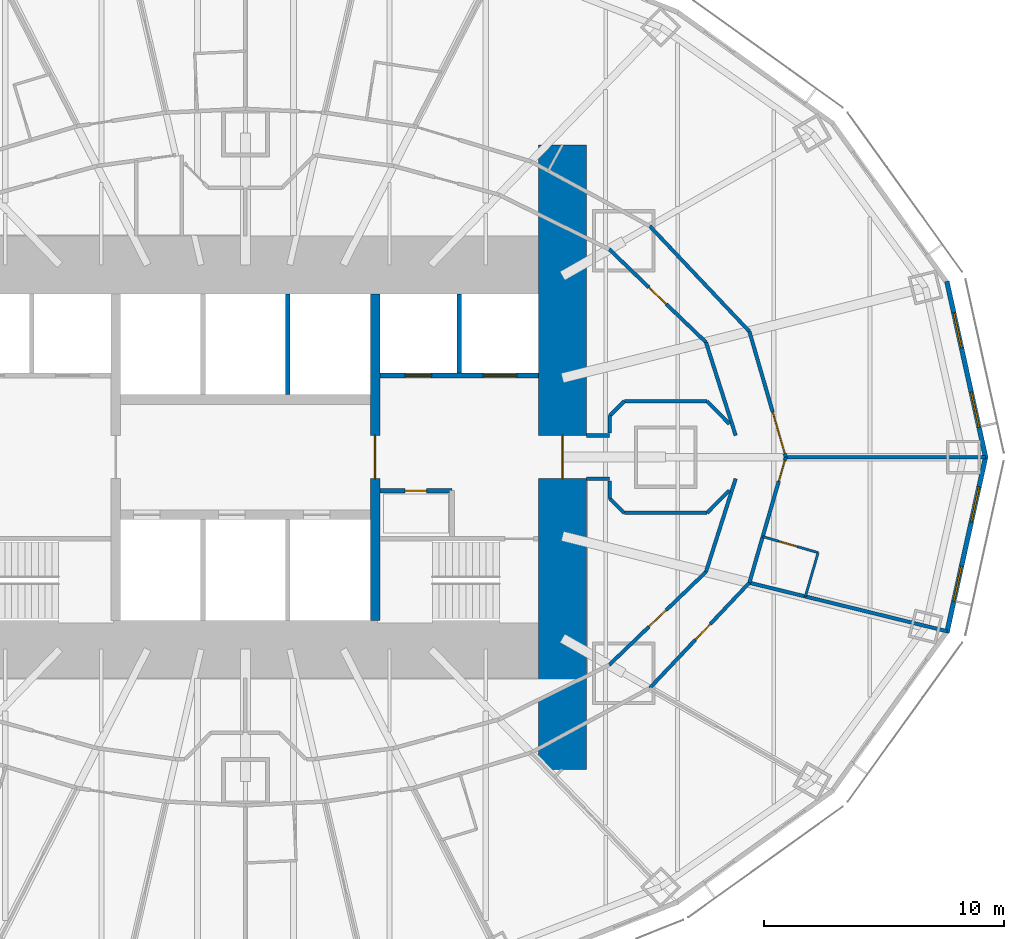
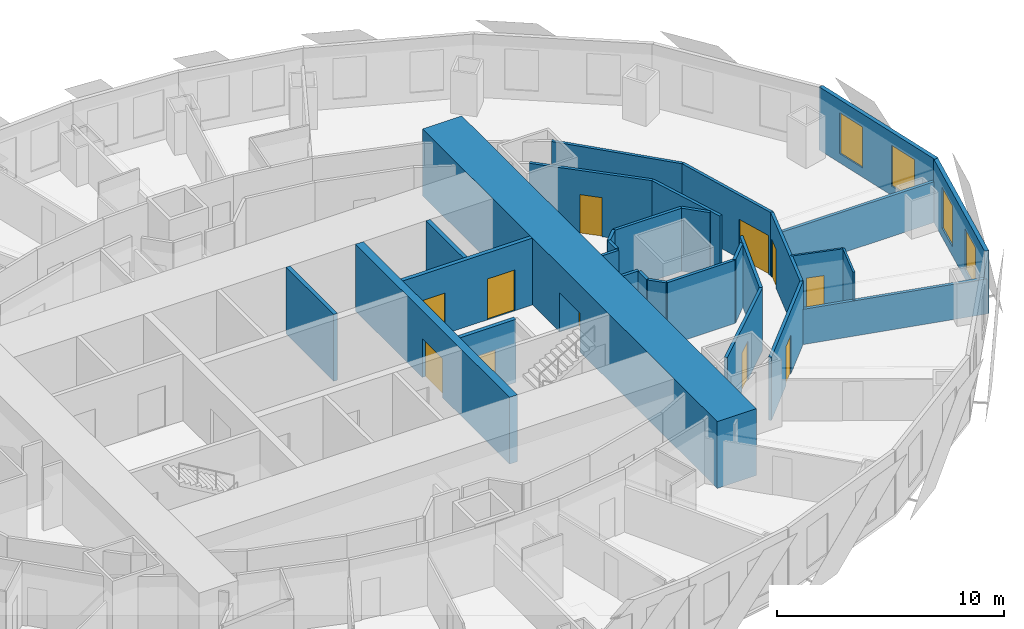
# One storey, part 8 of 15: 30 walls, 11 doors, 4 windows, 15 openings.
"""IFC4 building model written with IfcOpenShell, lengths in metres."""

from ifc_helpers import new_model, si_unit, direction, frame, frame_2d, origin, place, context, subcontext, project, spatial, rectangle, extrude, material, layer, layer_set, type_object, element, fill, save


model = new_model("IFC4")

# Units and contexts
model_context = context("Model", 3, precision=1e-05, world=origin(), true_north=direction((0.0, 1.0)))
body_context = subcontext(model_context, "Body", "Model", "MODEL_VIEW")
ifc_project = project(units=[si_unit("LENGTHUNIT", "METRE"), si_unit("AREAUNIT", "SQUARE_METRE"), si_unit("VOLUMEUNIT", "CUBIC_METRE"), si_unit("PLANEANGLEUNIT", "RADIAN"), si_unit("MASSUNIT", "GRAM", prefix="KILO")], contexts=[model_context])

# Site, building, storey
site_placement = place(None, origin())
site = spatial("IfcSite", under=ifc_project, at=site_placement, CompositionType="ELEMENT")
building_placement = place(site_placement, origin())
building = spatial("IfcBuilding", under=site, at=building_placement, Name="Lantaw Convention Tower", CompositionType="ELEMENT")
storey_placement = place(building_placement, frame((0.0, 0.0, 101.800048828125)))
storey = spatial("IfcBuildingStorey", under=building, at=storey_placement, Name="L24", CompositionType="ELEMENT", Elevation=101.800048828125)

# Wall, opening, door
ifc_material_1 = material(Name="Moisture resistant gypsum board on steel studs", Category="steel")
ifc_layer_1 = layer(ifc_material_1, 0.10009765625)
ifc_layer_set_1 = layer_set([ifc_layer_1], Name="Bathroom wall 100")
wall_type_1 = type_object("IfcWallType", Name="Bathroom wall 100", PredefinedType="PARTITIONING", material=ifc_layer_set_1)
wall_1_placement = place(storey_placement, frame((21.540771484375, -3.31103515625, 0.0), z_axis=(0.0, 0.0, 1.0), x_axis=(0.960515628303, -0.278226037218, 0.0)))
wall_1 = element("IfcWall", 1, at=wall_1_placement, inside=storey, type_object=wall_type_1, Name="Bathroom wall 100", PredefinedType="PARTITIONING", context=body_context, shape_type="SweptSolid", body=[
    extrude(rectangle(XDim=2.39990234375, YDim=0.10009765625, at=frame_2d((1.199951171875, 0.0))), origin(), (0.0, 0.0, 1.0), 3.39990234375),
])
opening_1_placement = place(wall_1_placement, frame((0.699951171875, 0.0, 0.0)))
opening_1 = element("IfcOpeningElement", 2, at=opening_1_placement, cuts=wall_1, Name="Opening L24.54", PredefinedType="OPENING", context=body_context, shape_type="SweptSolid", body=[
    extrude(rectangle(XDim=0.800048828125, YDim=2.10009765625, at=frame_2d((0.39990234375, 1.050048828125))), frame((0.0, 0.06005859375, 0.0), z_axis=(0.0, -1.0, 0.0), x_axis=(1.0, 0.0, 0.0)), (0.0, 0.0, 1.0), 0.1201171875),
])
ifc_material_2 = material(Name="Timber", Category="wood")
door_type_1 = type_object("IfcDoorType", Name="Bathroom door 800", OperationType="SINGLE_SWING_LEFT", PredefinedType="DOOR", material=ifc_material_2)
door_1_placement = place(opening_1_placement, origin())
door_1 = element("IfcDoor", 3, at=door_1_placement, inside=storey, type_object=door_type_1, Name="Bathroom door", OperationType="SINGLE_SWING_LEFT", OverallHeight=2.10009765625, OverallWidth=0.800048828125, PredefinedType="DOOR", context=body_context, shape_type="SweptSolid", body=[
    extrude(rectangle(XDim=0.800048828125, YDim=2.10009765625, at=frame_2d((0.39990234375, 1.050048828125))), frame((0.0, 0.02490234375, 0.0), z_axis=(0.0, -1.0, 0.0), x_axis=(1.0, 0.0, 0.0)), (0.0, 0.0, 1.0), 0.050048828125),
])
fill(opening_1, door_1)

# Wall
wall_2_placement = place(storey_placement, frame((23.845947265625, -3.978759765625, 0.0), z_axis=(0.0, 0.0, 1.0), x_axis=(-0.278197767203, -0.960523816635, 0.0)))
element("IfcWall", 4, at=wall_2_placement, inside=storey, type_object=wall_type_1, Name="Bathroom wall 100", PredefinedType="PARTITIONING", context=body_context, shape_type="SweptSolid", body=[
    extrude(rectangle(XDim=1.90966796875, YDim=0.10009765625, at=frame_2d((0.954833984375, 0.0))), origin(), (0.0, 0.0, 1.0), 3.39990234375),
])

# Wall, opening, door
ifc_material_3 = material(Name="Concrete C60/75", Category="concrete")
ifc_layer_2 = layer(ifc_material_3, 2.0)
ifc_layer_set_2 = layer_set([ifc_layer_2], Name="Core wall 2000")
wall_type_2 = type_object("IfcWallType", Name="Core wall 2000", PredefinedType="SHEAR", material=ifc_layer_set_2)
wall_3_placement = place(storey_placement, frame((13.199951171875, -13.0, 0.0), z_axis=(0.0, 0.0, 1.0), x_axis=(0.0, 1.0, 0.0)))
wall_3 = element("IfcWall", 5, at=wall_3_placement, inside=storey, type_object=wall_type_2, Name="Core wall E", PredefinedType="SHEAR", context=body_context, shape_type="SweptSolid", body=[
    extrude(rectangle(XDim=26.0, YDim=2.0, at=frame_2d((13.0, 0.0))), origin(), (0.0, 0.0, 1.0), 3.599853515625),
])
opening_2_placement = place(wall_3_placement, frame((12.10009765625, 0.0, 0.0)))
opening_2 = element("IfcOpeningElement", 6, at=opening_2_placement, cuts=wall_3, Name="Opening L24.06", PredefinedType="OPENING", context=body_context, shape_type="SweptSolid", body=[
    extrude(rectangle(XDim=1.800048828125, YDim=2.10009765625, at=frame_2d((0.89990234375, 1.050048828125))), frame((0.0, 1.010009765625, 0.0), z_axis=(0.0, -1.0, 0.0), x_axis=(1.0, 0.0, 0.0)), (0.0, 0.0, 1.0), 2.02001953125),
])
ifc_material_4 = material(Name="Steel, fire rated", Category="steel")
door_type_2 = type_object("IfcDoorType", Name="Lobby double door FD90", OperationType="DOUBLE_DOOR_DOUBLE_SWING", PredefinedType="DOOR", material=ifc_material_4)
door_2_placement = place(opening_2_placement, origin())
door_2 = element("IfcDoor", 7, at=door_2_placement, inside=storey, type_object=door_type_2, Name="Firefighting lobby door", OperationType="DOUBLE_DOOR_DOUBLE_SWING", OverallHeight=2.10009765625, OverallWidth=1.800048828125, PredefinedType="DOOR", context=body_context, shape_type="SweptSolid", body=[
    extrude(rectangle(XDim=1.800048828125, YDim=2.10009765625, at=frame_2d((0.89990234375, 1.050048828125))), frame((0.0, 0.02490234375, 0.0), z_axis=(0.0, -1.0, 0.0), x_axis=(1.0, 0.0, 0.0)), (0.0, 0.0, 1.0), 0.050048828125),
])
fill(opening_2, door_2)

ifc_layer_3 = layer(ifc_material_3, 0.39990234375)
ifc_layer_set_3 = layer_set([ifc_layer_3], Name="Core wall 400")
wall_type_3 = type_object("IfcWallType", Name="Core wall 400", PredefinedType="SHEAR", material=ifc_layer_set_3)
wall_4_placement = place(storey_placement, frame((5.39990234375, -6.800048828125, 0.0), z_axis=(0.0, 0.0, 1.0), x_axis=(0.0, 1.0, 0.0)))
wall_4 = element("IfcWall", 8, at=wall_4_placement, inside=storey, type_object=wall_type_3, Name="Core wall XE", PredefinedType="SHEAR", context=body_context, shape_type="SweptSolid", body=[
    extrude(rectangle(XDim=13.60009765625, YDim=0.39990234375, at=frame_2d((6.800048828125, 0.0))), origin(), (0.0, 0.0, 1.0), 3.599853515625),
])
opening_3_placement = place(wall_4_placement, frame((5.89990234375, 0.0, 0.0)))
opening_3 = element("IfcOpeningElement", 9, at=opening_3_placement, cuts=wall_4, Name="Opening L24.02", PredefinedType="OPENING", context=body_context, shape_type="SweptSolid", body=[
    extrude(rectangle(XDim=1.800048828125, YDim=2.10009765625, at=frame_2d((0.89990234375, 1.050048828125))), frame((0.0, 0.2099609375, 0.0), z_axis=(0.0, -1.0, 0.0), x_axis=(1.0, 0.0, 0.0)), (0.0, 0.0, 1.0), 0.419921875),
])
door_3_placement = place(opening_3_placement, origin())
door_3 = element("IfcDoor", 10, at=door_3_placement, inside=storey, type_object=door_type_2, Name="Lift lobby door", OperationType="DOUBLE_DOOR_DOUBLE_SWING", OverallHeight=2.10009765625, OverallWidth=1.800048828125, PredefinedType="DOOR", context=body_context, shape_type="SweptSolid", body=[
    extrude(rectangle(XDim=1.800048828125, YDim=2.10009765625, at=frame_2d((0.89990234375, 1.050048828125))), frame((0.0, 0.02490234375, 0.0), z_axis=(0.0, -1.0, 0.0), x_axis=(1.0, 0.0, 0.0)), (0.0, 0.0, 1.0), 0.050048828125),
])
fill(opening_3, door_3)

ifc_material_5 = material(Name="Gypsum board on steel studs, fire rated", Category="steel")
ifc_layer_4 = layer(ifc_material_5, 0.14990234375)
ifc_layer_set_4 = layer_set([ifc_layer_4], Name="Corridor wall 150 EI 60")
wall_type_4 = type_object("IfcWallType", Name="Corridor wall 150 EI 60", PredefinedType="PARTITIONING", material=ifc_layer_set_4)
wall_5_placement = place(storey_placement, frame((22.5, 0.0, 0.0), z_axis=(0.0, 0.0, 1.0), x_axis=(-0.278247435376, 0.960509429785, 0.0)))
wall_5 = element("IfcWall", 11, at=wall_5_placement, inside=storey, type_object=wall_type_4, Name="Corridor wall 150", PredefinedType="PARTITIONING", context=body_context, shape_type="SweptSolid", body=[
    extrude(rectangle(XDim=5.447021484375, YDim=0.14990234375, at=frame_2d((2.7236328125, 0.0))), origin(), (0.0, 0.0, 1.0), 3.39990234375),
])
opening_4_placement = place(wall_5_placement, frame((0.14990234375, 0.0, 0.0)))
opening_4 = element("IfcOpeningElement", 12, at=opening_4_placement, cuts=wall_5, Name="Opening L24.25", PredefinedType="OPENING", context=body_context, shape_type="SweptSolid", body=[
    extrude(rectangle(XDim=1.800048828125, YDim=2.10009765625, at=frame_2d((0.89990234375, 1.050048828125))), frame((0.0, 0.0849609375, 0.0), z_axis=(0.0, -1.0, 0.0), x_axis=(1.0, 0.0, 0.0)), (0.0, 0.0, 1.0), 0.169921875),
])
door_type_3 = type_object("IfcDoorType", Name="Lounge double door 1800 FD30", OperationType="DOUBLE_DOOR_DOUBLE_SWING", PredefinedType="DOOR", material=ifc_material_4)
door_4_placement = place(opening_4_placement, origin())
door_4 = element("IfcDoor", 13, at=door_4_placement, inside=storey, type_object=door_type_3, Name="Club lounge door", OperationType="DOUBLE_DOOR_DOUBLE_SWING", OverallHeight=2.10009765625, OverallWidth=1.800048828125, PredefinedType="DOOR", context=body_context, shape_type="SweptSolid", body=[
    extrude(rectangle(XDim=1.800048828125, YDim=2.10009765625, at=frame_2d((0.89990234375, 1.050048828125))), frame((0.0, 0.02490234375, 0.0), z_axis=(0.0, -1.0, 0.0), x_axis=(1.0, 0.0, 0.0)), (0.0, 0.0, 1.0), 0.050048828125),
])
fill(opening_4, door_4)

# Wall
wall_6_placement = place(storey_placement, frame((20.984375, 5.23193359375, 0.0), z_axis=(0.0, 0.0, 1.0), x_axis=(-0.687062608696, 0.726598218916, 0.0)))
element("IfcWall", 14, at=wall_6_placement, inside=storey, type_object=wall_type_4, Name="Corridor wall 150", PredefinedType="PARTITIONING", context=body_context, shape_type="SweptSolid", body=[
    extrude(rectangle(XDim=6.039306640625, YDim=0.14990234375, at=frame_2d((3.01953125, 0.0))), origin(), (0.0, 0.0, 1.0), 3.39990234375),
])

# Wall, opening, door
wall_7_placement = place(storey_placement, frame((16.8349609375, -9.6201171875, 0.0), z_axis=(0.0, 0.0, 1.0), x_axis=(0.687062608696, 0.726598218916, 0.0)))
wall_7 = element("IfcWall", 15, at=wall_7_placement, inside=storey, type_object=wall_type_4, Name="Corridor wall 150", PredefinedType="PARTITIONING", context=body_context, shape_type="SweptSolid", body=[
    extrude(rectangle(XDim=6.039306640625, YDim=0.14990234375, at=frame_2d((3.01953125, 0.0))), origin(), (0.0, 0.0, 1.0), 3.39990234375),
])
opening_5_placement = place(wall_7_placement, frame((2.771240234375, 0.0, 0.0)))
opening_5 = element("IfcOpeningElement", 16, at=opening_5_placement, cuts=wall_7, Name="Opening L24.53", PredefinedType="OPENING", context=body_context, shape_type="SweptSolid", body=[
    extrude(rectangle(XDim=0.89990234375, YDim=2.10009765625, at=frame_2d((0.449951171875, 1.050048828125))), frame((0.0, 0.0849609375, 0.0), z_axis=(0.0, -1.0, 0.0), x_axis=(1.0, 0.0, 0.0)), (0.0, 0.0, 1.0), 0.169921875),
])
door_type_4 = type_object("IfcDoorType", Name="Guest room entrance door FD30S", OperationType="SINGLE_SWING_LEFT", PredefinedType="DOOR", material=ifc_material_4)
door_5_placement = place(opening_5_placement, origin())
door_5 = element("IfcDoor", 17, at=door_5_placement, inside=storey, type_object=door_type_4, Name="Suite entrance door", OperationType="SINGLE_SWING_LEFT", OverallHeight=2.10009765625, OverallWidth=0.89990234375, PredefinedType="DOOR", context=body_context, shape_type="SweptSolid", body=[
    extrude(rectangle(XDim=0.89990234375, YDim=2.10009765625, at=frame_2d((0.449951171875, 1.050048828125))), frame((0.0, 0.02490234375, 0.0), z_axis=(0.0, -1.0, 0.0), x_axis=(1.0, 0.0, 0.0)), (0.0, 0.0, 1.0), 0.050048828125),
])
fill(opening_5, door_5)

wall_8_placement = place(storey_placement, frame((20.984375, -5.23193359375, 0.0), z_axis=(0.0, 0.0, 1.0), x_axis=(0.278247435376, 0.960509429785, 0.0)))
wall_8 = element("IfcWall", 18, at=wall_8_placement, inside=storey, type_object=wall_type_4, Name="Corridor wall 150", PredefinedType="PARTITIONING", context=body_context, shape_type="SweptSolid", body=[
    extrude(rectangle(XDim=5.447021484375, YDim=0.14990234375, at=frame_2d((2.7236328125, 0.0))), origin(), (0.0, 0.0, 1.0), 3.39990234375),
])
opening_6_placement = place(wall_8_placement, frame((4.397216796875, 0.0, 0.0)))
opening_6 = element("IfcOpeningElement", 19, at=opening_6_placement, cuts=wall_8, Name="Opening L24.55", PredefinedType="OPENING", context=body_context, shape_type="SweptSolid", body=[
    extrude(rectangle(XDim=0.89990234375, YDim=2.10009765625, at=frame_2d((0.449951171875, 1.050048828125))), frame((0.0, 0.0849609375, 0.0), z_axis=(0.0, -1.0, 0.0), x_axis=(1.0, 0.0, 0.0)), (0.0, 0.0, 1.0), 0.169921875),
])
door_6_placement = place(opening_6_placement, origin())
door_6 = element("IfcDoor", 20, at=door_6_placement, inside=storey, type_object=door_type_4, Name="Guest room entrance door", OperationType="SINGLE_SWING_LEFT", OverallHeight=2.10009765625, OverallWidth=0.89990234375, PredefinedType="DOOR", context=body_context, shape_type="SweptSolid", body=[
    extrude(rectangle(XDim=0.89990234375, YDim=2.10009765625, at=frame_2d((0.449951171875, 1.050048828125))), frame((0.0, 0.02490234375, 0.0), z_axis=(0.0, -1.0, 0.0), x_axis=(1.0, 0.0, 0.0)), (0.0, 0.0, 1.0), 0.050048828125),
])
fill(opening_6, door_6)

# Wall
wall_9_placement = place(storey_placement, frame((20.413330078125, 0.89990234375, 0.0), z_axis=(0.0, 0.0, 1.0), x_axis=(-0.303505448228, 0.952829702988, 0.0)))
element("IfcWall", 21, at=wall_9_placement, inside=storey, type_object=wall_type_4, Name="Corridor wall 150", PredefinedType="PARTITIONING", context=body_context, shape_type="SweptSolid", body=[
    extrude(rectangle(XDim=4.073486328125, YDim=0.14990234375, at=frame_2d((2.03662109375, 0.0))), origin(), (0.0, 0.0, 1.0), 3.39990234375),
])

# Wall, opening, door
wall_10_placement = place(storey_placement, frame((19.177001953125, 4.78125, 0.0), z_axis=(0.0, 0.0, 1.0), x_axis=(-0.720837261072, 0.693104352209, 0.0)))
wall_10 = element("IfcWall", 22, at=wall_10_placement, inside=storey, type_object=wall_type_4, Name="Corridor wall 150", PredefinedType="PARTITIONING", context=body_context, shape_type="SweptSolid", body=[
    extrude(rectangle(XDim=5.590087890625, YDim=0.14990234375, at=frame_2d((2.794921875, 0.0))), origin(), (0.0, 0.0, 1.0), 3.39990234375),
])
opening_7_placement = place(wall_10_placement, frame((2.294921875, 0.0, 0.0)))
opening_7 = element("IfcOpeningElement", 23, at=opening_7_placement, cuts=wall_10, Name="Opening L24.16", PredefinedType="OPENING", context=body_context, shape_type="SweptSolid", body=[
    extrude(rectangle(XDim=1.0, YDim=2.10009765625, at=frame_2d((0.5, 1.050048828125))), frame((0.0, 0.0849609375, 0.0), z_axis=(0.0, -1.0, 0.0), x_axis=(1.0, 0.0, 0.0)), (0.0, 0.0, 1.0), 0.169921875),
])
door_type_5 = type_object("IfcDoorType", Name="Service door 1000 FD30", OperationType="SINGLE_SWING_LEFT", PredefinedType="DOOR", material=ifc_material_4)
door_7_placement = place(opening_7_placement, origin())
door_7 = element("IfcDoor", 24, at=door_7_placement, inside=storey, type_object=door_type_5, Name="Linen store door", OperationType="SINGLE_SWING_LEFT", OverallHeight=2.10009765625, OverallWidth=1.0, PredefinedType="DOOR", context=body_context, shape_type="SweptSolid", body=[
    extrude(rectangle(XDim=1.0, YDim=2.10009765625, at=frame_2d((0.5, 1.050048828125))), frame((0.0, 0.02490234375, 0.0), z_axis=(0.0, -1.0, 0.0), x_axis=(1.0, 0.0, 0.0)), (0.0, 0.0, 1.0), 0.050048828125),
])
fill(opening_7, door_7)

wall_11_placement = place(storey_placement, frame((15.1474609375, -8.65576171875, 0.0), z_axis=(0.0, 0.0, 1.0), x_axis=(0.720837261072, 0.693104352209, 0.0)))
wall_11 = element("IfcWall", 25, at=wall_11_placement, inside=storey, type_object=wall_type_4, Name="Corridor wall 150", PredefinedType="PARTITIONING", context=body_context, shape_type="SweptSolid", body=[
    extrude(rectangle(XDim=5.590087890625, YDim=0.14990234375, at=frame_2d((2.794921875, 0.0))), origin(), (0.0, 0.0, 1.0), 3.39990234375),
])
opening_8_placement = place(wall_11_placement, frame((2.294921875, 0.0, 0.0)))
opening_8 = element("IfcOpeningElement", 26, at=opening_8_placement, cuts=wall_11, Name="Opening L24.24", PredefinedType="OPENING", context=body_context, shape_type="SweptSolid", body=[
    extrude(rectangle(XDim=1.0, YDim=2.10009765625, at=frame_2d((0.5, 1.050048828125))), frame((0.0, 0.0849609375, 0.0), z_axis=(0.0, -1.0, 0.0), x_axis=(1.0, 0.0, 0.0)), (0.0, 0.0, 1.0), 0.169921875),
])
door_8_placement = place(opening_8_placement, origin())
door_8 = element("IfcDoor", 27, at=door_8_placement, inside=storey, type_object=door_type_5, Name="Room service pantry door", OperationType="SINGLE_SWING_LEFT", OverallHeight=2.10009765625, OverallWidth=1.0, PredefinedType="DOOR", context=body_context, shape_type="SweptSolid", body=[
    extrude(rectangle(XDim=1.0, YDim=2.10009765625, at=frame_2d((0.5, 1.050048828125))), frame((0.0, 0.02490234375, 0.0), z_axis=(0.0, -1.0, 0.0), x_axis=(1.0, 0.0, 0.0)), (0.0, 0.0, 1.0), 0.050048828125),
])
fill(opening_8, door_8)

# Walls
wall_12_placement = place(storey_placement, frame((19.177001953125, -4.78125, 0.0), z_axis=(0.0, 0.0, 1.0), x_axis=(0.303505448228, 0.952829702988, 0.0)))
element("IfcWall", 28, at=wall_12_placement, inside=storey, type_object=wall_type_4, Name="Corridor wall 150", PredefinedType="PARTITIONING", context=body_context, shape_type="SweptSolid", body=[
    extrude(rectangle(XDim=4.073486328125, YDim=0.14990234375, at=frame_2d((2.03662109375, 0.0))), origin(), (0.0, 0.0, 1.0), 3.39990234375),
])
for number, where, z_axis, x_axis, name in (
    (29, (14.199951171875, -0.89990234375, 0.0), (0.0, 0.0, 1.0), (1.0, 0.0, 0.0), "Corridor wall 150"),
    (30, (14.199951171875, 0.89990234375, 0.0), (0.0, 0.0, 1.0), (1.0, 0.0, 0.0), "Corridor wall 150"),
):
    element("IfcWall", number, at=place(storey_placement, frame(where, z_axis=z_axis, x_axis=x_axis)), inside=storey, type_object=wall_type_4, Name=name, PredefinedType="PARTITIONING", context=body_context, shape_type="SweptSolid", body=[
        extrude(rectangle(XDim=0.965087890625, YDim=0.14990234375, at=frame_2d((0.482421875, 0.0))), origin(), (0.0, 0.0, 1.0), 3.39990234375),
    ])
wall_13_placement = place(storey_placement, frame((15.175048828125, 1.003173828125, 0.0), z_axis=(0.0, 0.0, 1.0), x_axis=(0.0, 1.0, 0.0)))
element("IfcWall", 31, at=wall_13_placement, inside=storey, type_object=wall_type_4, Name="Corridor wall 150", PredefinedType="PARTITIONING", context=body_context, shape_type="SweptSolid", body=[
    extrude(rectangle(XDim=0.721435546875, YDim=0.14990234375, at=frame_2d((0.36083984375, 0.0))), origin(), (0.0, 0.0, 1.0), 3.39990234375),
])
wall_14_placement = place(storey_placement, frame((15.175048828125, 1.724609375, 0.0), z_axis=(0.0, 0.0, 1.0), x_axis=(0.707106781187, 0.707106781187, 0.0)))
element("IfcWall", 32, at=wall_14_placement, inside=storey, type_object=wall_type_4, Name="Corridor wall 150", PredefinedType="PARTITIONING", context=body_context, shape_type="SweptSolid", body=[
    extrude(rectangle(XDim=0.84912109375, YDim=0.14990234375, at=frame_2d((0.424560546875, 0.0))), origin(), (0.0, 0.0, 1.0), 3.39990234375),
])
wall_15_placement = place(storey_placement, frame((15.775390625, 2.324951171875, 0.0), z_axis=(0.0, 0.0, 1.0), x_axis=(1.0, 0.0, 0.0)))
element("IfcWall", 33, at=wall_15_placement, inside=storey, type_object=wall_type_4, Name="Corridor wall 150", PredefinedType="PARTITIONING", context=body_context, shape_type="SweptSolid", body=[
    extrude(rectangle(XDim=3.44921875, YDim=0.14990234375, at=frame_2d((1.724609375, 0.0))), origin(), (0.0, 0.0, 1.0), 3.39990234375),
])
for number, where, z_axis, x_axis, name in (
    (34, (19.224609375, 2.324951171875, 0.0), (0.0, 0.0, 1.0), (0.700694560486, -0.713461374501, 0.0), "Corridor wall 150"),
    (35, (20.149169921875, -1.383544921875, 0.0), (0.0, 0.0, 1.0), (-0.700694560486, -0.713461374501, 0.0), "Corridor wall 150"),
):
    element("IfcWall", number, at=place(storey_placement, frame(where, z_axis=z_axis, x_axis=x_axis)), inside=storey, type_object=wall_type_4, Name=name, PredefinedType="PARTITIONING", context=body_context, shape_type="SweptSolid", body=[
        extrude(rectangle(XDim=1.319580078125, YDim=0.14990234375, at=frame_2d((0.65966796875, 0.0))), origin(), (0.0, 0.0, 1.0), 3.39990234375),
    ])
wall_16_placement = place(storey_placement, frame((19.224609375, -2.324951171875, 0.0), z_axis=(0.0, 0.0, 1.0), x_axis=(-1.0, 0.0, 0.0)))
element("IfcWall", 36, at=wall_16_placement, inside=storey, type_object=wall_type_4, Name="Corridor wall 150", PredefinedType="PARTITIONING", context=body_context, shape_type="SweptSolid", body=[
    extrude(rectangle(XDim=3.44921875, YDim=0.14990234375, at=frame_2d((1.724609375, 0.0))), origin(), (0.0, 0.0, 1.0), 3.39990234375),
])
wall_17_placement = place(storey_placement, frame((15.775390625, -2.324951171875, 0.0), z_axis=(0.0, 0.0, 1.0), x_axis=(-0.707106781187, 0.707106781187, 0.0)))
element("IfcWall", 37, at=wall_17_placement, inside=storey, type_object=wall_type_4, Name="Corridor wall 150", PredefinedType="PARTITIONING", context=body_context, shape_type="SweptSolid", body=[
    extrude(rectangle(XDim=0.84912109375, YDim=0.14990234375, at=frame_2d((0.424560546875, 0.0))), origin(), (0.0, 0.0, 1.0), 3.39990234375),
])
wall_18_placement = place(storey_placement, frame((15.175048828125, -1.724609375, 0.0), z_axis=(0.0, 0.0, 1.0), x_axis=(0.0, 1.0, 0.0)))
element("IfcWall", 38, at=wall_18_placement, inside=storey, type_object=wall_type_4, Name="Corridor wall 150", PredefinedType="PARTITIONING", context=body_context, shape_type="SweptSolid", body=[
    extrude(rectangle(XDim=0.721435546875, YDim=0.14990234375, at=frame_2d((0.36083984375, 0.0))), origin(), (0.0, 0.0, 1.0), 3.39990234375),
])

# Wall, openings, windows
ifc_material_6 = material(Name="Insulated aluminium panel on steel frame", Category="steel")
ifc_layer_5 = layer(ifc_material_6, 0.199951171875)
ifc_layer_set_5 = layer_set([ifc_layer_5], Name="External wall 200")
wall_type_5 = type_object("IfcWallType", Name="External wall 200", PredefinedType="SOLIDWALL", material=ifc_layer_set_5)
wall_19_placement = place(storey_placement, frame((30.83544921875, -0.06689453125, 0.0), z_axis=(0.0, 0.0, 1.0), x_axis=(-0.215238065514, 0.976561608478, 0.0)))
wall_19 = element("IfcWall", 39, at=wall_19_placement, inside=storey, type_object=wall_type_5, Name="Facade panel wall", PredefinedType="SOLIDWALL", context=body_context, shape_type="SweptSolid", body=[
    extrude(rectangle(XDim=7.562255859375, YDim=0.199951171875, at=frame_2d((3.78125, 0.0))), origin(), (0.0, 0.0, 1.0), 3.39990234375),
])
opening_9_placement = place(wall_19_placement, frame((1.340576171875, 0.0, 0.5)))
opening_9 = element("IfcOpeningElement", 40, at=opening_9_placement, cuts=wall_19, Name="Opening W2", PredefinedType="OPENING", context=body_context, shape_type="SweptSolid", body=[
    extrude(rectangle(XDim=1.5, YDim=2.199951171875, at=frame_2d((0.75, 1.10009765625))), frame((0.0, 0.10986328125, 0.0), z_axis=(0.0, -1.0, 0.0), x_axis=(1.0, 0.0, 0.0)), (0.0, 0.0, 1.0), 0.219970703125),
])
opening_10_placement = place(wall_19_placement, frame((4.7216796875, 0.0, 0.5)))
opening_10 = element("IfcOpeningElement", 41, at=opening_10_placement, cuts=wall_19, Name="Opening W2", PredefinedType="OPENING", context=body_context, shape_type="SweptSolid", body=[
    extrude(rectangle(XDim=1.5, YDim=2.199951171875, at=frame_2d((0.75, 1.10009765625))), frame((0.0, 0.10986328125, 0.0), z_axis=(0.0, -1.0, 0.0), x_axis=(1.0, 0.0, 0.0)), (0.0, 0.0, 1.0), 0.219970703125),
])
ifc_material_7 = material(Name="Aluminium frame, clear insulating glass", Category="aluminium")
window_type = type_object("IfcWindowType", Name="Suite window 1500x2200", PartitioningType="SINGLE_PANEL", PredefinedType="WINDOW", material=ifc_material_7)
window_1_placement = place(opening_9_placement, origin())
window_1 = element("IfcWindow", 42, at=window_1_placement, inside=storey, type_object=window_type, Name="Guest room window", OverallHeight=2.199951171875, OverallWidth=1.5, PartitioningType="SINGLE_PANEL", PredefinedType="WINDOW", context=body_context, shape_type="SweptSolid", body=[
    extrude(rectangle(XDim=1.5, YDim=2.199951171875, at=frame_2d((0.75, 1.10009765625))), frame((0.0, 0.030029296875, 0.0), z_axis=(0.0, -1.0, 0.0), x_axis=(1.0, 0.0, 0.0)), (0.0, 0.0, 1.0), 0.06005859375),
])
fill(opening_9, window_1)
window_2_placement = place(opening_10_placement, origin())
window_2 = element("IfcWindow", 43, at=window_2_placement, inside=storey, type_object=window_type, Name="Guest room window", OverallHeight=2.199951171875, OverallWidth=1.5, PartitioningType="SINGLE_PANEL", PredefinedType="WINDOW", context=body_context, shape_type="SweptSolid", body=[
    extrude(rectangle(XDim=1.5, YDim=2.199951171875, at=frame_2d((0.75, 1.10009765625))), frame((0.0, 0.030029296875, 0.0), z_axis=(0.0, -1.0, 0.0), x_axis=(1.0, 0.0, 0.0)), (0.0, 0.0, 1.0), 0.06005859375),
])
fill(opening_10, window_2)

wall_20_placement = place(storey_placement, frame((29.207763671875, -7.318115234375, 0.0), z_axis=(0.0, 0.0, 1.0), x_axis=(0.215238065514, 0.976561608478, 0.0)))
wall_20 = element("IfcWall", 44, at=wall_20_placement, inside=storey, type_object=wall_type_5, Name="Facade panel wall", PredefinedType="SOLIDWALL", context=body_context, shape_type="SweptSolid", body=[
    extrude(rectangle(XDim=7.562255859375, YDim=0.199951171875, at=frame_2d((3.78125, 0.0))), origin(), (0.0, 0.0, 1.0), 3.39990234375),
])
opening_11_placement = place(wall_20_placement, frame((1.340576171875, 0.0, 0.5)))
opening_11 = element("IfcOpeningElement", 45, at=opening_11_placement, cuts=wall_20, Name="Opening W2", PredefinedType="OPENING", context=body_context, shape_type="SweptSolid", body=[
    extrude(rectangle(XDim=1.5, YDim=2.199951171875, at=frame_2d((0.75, 1.10009765625))), frame((0.0, 0.10986328125, 0.0), z_axis=(0.0, -1.0, 0.0), x_axis=(1.0, 0.0, 0.0)), (0.0, 0.0, 1.0), 0.219970703125),
])
opening_12_placement = place(wall_20_placement, frame((4.7216796875, 0.0, 0.5)))
opening_12 = element("IfcOpeningElement", 46, at=opening_12_placement, cuts=wall_20, Name="Opening W2", PredefinedType="OPENING", context=body_context, shape_type="SweptSolid", body=[
    extrude(rectangle(XDim=1.5, YDim=2.199951171875, at=frame_2d((0.75, 1.10009765625))), frame((0.0, 0.10986328125, 0.0), z_axis=(0.0, -1.0, 0.0), x_axis=(1.0, 0.0, 0.0)), (0.0, 0.0, 1.0), 0.219970703125),
])
window_3_placement = place(opening_11_placement, origin())
window_3 = element("IfcWindow", 47, at=window_3_placement, inside=storey, type_object=window_type, Name="Guest room window", OverallHeight=2.199951171875, OverallWidth=1.5, PartitioningType="SINGLE_PANEL", PredefinedType="WINDOW", context=body_context, shape_type="SweptSolid", body=[
    extrude(rectangle(XDim=1.5, YDim=2.199951171875, at=frame_2d((0.75, 1.10009765625))), frame((0.0, 0.030029296875, 0.0), z_axis=(0.0, -1.0, 0.0), x_axis=(1.0, 0.0, 0.0)), (0.0, 0.0, 1.0), 0.06005859375),
])
fill(opening_11, window_3)
window_4_placement = place(opening_12_placement, origin())
window_4 = element("IfcWindow", 48, at=window_4_placement, inside=storey, type_object=window_type, Name="Guest room window", OverallHeight=2.199951171875, OverallWidth=1.5, PartitioningType="SINGLE_PANEL", PredefinedType="WINDOW", context=body_context, shape_type="SweptSolid", body=[
    extrude(rectangle(XDim=1.5, YDim=2.199951171875, at=frame_2d((0.75, 1.10009765625))), frame((0.0, 0.030029296875, 0.0), z_axis=(0.0, -1.0, 0.0), x_axis=(1.0, 0.0, 0.0)), (0.0, 0.0, 1.0), 0.06005859375),
])
fill(opening_12, window_4)

# Walls
ifc_material_8 = material(Name="Gypsum board on steel studs, acoustic", Category="steel")
ifc_layer_6 = layer(ifc_material_8, 0.14990234375)
ifc_layer_set_6 = layer_set([ifc_layer_6], Name="Guest room party wall 150")
wall_type_6 = type_object("IfcWallType", Name="Guest room party wall 150", PredefinedType="PARTITIONING", material=ifc_layer_set_6)
wall_21_placement = place(storey_placement, frame((30.82080078125, 0.0, 0.0), z_axis=(0.0, 0.0, 1.0), x_axis=(-1.0, 0.0, 0.0)))
element("IfcWall", 49, at=wall_21_placement, inside=storey, type_object=wall_type_6, Name="Guest room party wall 150", PredefinedType="PARTITIONING", context=body_context, shape_type="SweptSolid", body=[
    extrude(rectangle(XDim=8.32080078125, YDim=0.14990234375, at=frame_2d((4.160400390625, 0.0))), origin(), (0.0, 0.0, 1.0), 2.199951171875),
])
wall_22_placement = place(storey_placement, frame((29.221923828125, -7.253662109375, 0.0), z_axis=(0.0, 0.0, 1.0), x_axis=(-0.971178166182, 0.238354713676, 0.0)))
element("IfcWall", 50, at=wall_22_placement, inside=storey, type_object=wall_type_6, Name="Guest room party wall 150", PredefinedType="PARTITIONING", context=body_context, shape_type="SweptSolid", body=[
    extrude(rectangle(XDim=8.48193359375, YDim=0.14990234375, at=frame_2d((4.240966796875, 0.0))), origin(), (0.0, 0.0, 1.0), 1.89990234375),
])

# Wall, opening, door
ifc_material_9 = material(Name="Concrete blockwork, fire rated", Category="masonry")
ifc_layer_7 = layer(ifc_material_9, 0.199951171875)
ifc_layer_set_7 = layer_set([ifc_layer_7], Name="Plant room wall 200 EI 120")
wall_type_7 = type_object("IfcWallType", Name="Plant room wall 200 EI 120", PredefinedType="SOLIDWALL", material=ifc_layer_set_7)
wall_23_placement = place(storey_placement, frame((5.60009765625, -1.39990234375, 0.0), z_axis=(0.0, 0.0, 1.0), x_axis=(1.0, 0.0, 0.0)))
wall_23 = element("IfcWall", 51, at=wall_23_placement, inside=storey, type_object=wall_type_7, Name="Plant room wall 200", PredefinedType="SOLIDWALL", context=body_context, shape_type="SweptSolid", body=[
    extrude(rectangle(XDim=3.0, YDim=0.199951171875, at=frame_2d((1.5, 0.0))), origin(), (0.0, 0.0, 1.0), 3.39990234375),
])
opening_13_placement = place(wall_23_placement, frame((1.050048828125, 0.0, 0.0)))
opening_13 = element("IfcOpeningElement", 52, at=opening_13_placement, cuts=wall_23, Name="Opening L24.01", PredefinedType="OPENING", context=body_context, shape_type="SweptSolid", body=[
    extrude(rectangle(XDim=0.89990234375, YDim=2.10009765625, at=frame_2d((0.449951171875, 1.050048828125))), frame((0.0, 0.10986328125, 0.0), z_axis=(0.0, -1.0, 0.0), x_axis=(1.0, 0.0, 0.0)), (0.0, 0.0, 1.0), 0.219970703125),
])
door_type_6 = type_object("IfcDoorType", Name="Service door 900 FD60", OperationType="SINGLE_SWING_LEFT", PredefinedType="DOOR", material=ifc_material_4)
door_9_placement = place(opening_13_placement, origin())
door_9 = element("IfcDoor", 53, at=door_9_placement, inside=storey, type_object=door_type_6, Name="Staff WC door", OperationType="SINGLE_SWING_LEFT", OverallHeight=2.10009765625, OverallWidth=0.89990234375, PredefinedType="DOOR", context=body_context, shape_type="SweptSolid", body=[
    extrude(rectangle(XDim=0.89990234375, YDim=2.10009765625, at=frame_2d((0.449951171875, 1.050048828125))), frame((0.0, 0.02490234375, 0.0), z_axis=(0.0, -1.0, 0.0), x_axis=(1.0, 0.0, 0.0)), (0.0, 0.0, 1.0), 0.050048828125),
])
fill(opening_13, door_9)

# Wall
ifc_layer_8 = layer(ifc_material_9, 0.199951171875)
ifc_layer_set_8 = layer_set([ifc_layer_8], Name="Shaft wall 200")
wall_type_8 = type_object("IfcWallType", Name="Shaft wall 200", PredefinedType="SOLIDWALL", material=ifc_layer_set_8)
wall_24_placement = place(storey_placement, frame((1.7666015625, 2.60009765625, 0.0), z_axis=(0.0, 0.0, 1.0), x_axis=(0.0, 1.0, 0.0)))
element("IfcWall", 54, at=wall_24_placement, inside=storey, type_object=wall_type_8, Name="Shaft wall DN2", PredefinedType="SOLIDWALL", context=body_context, shape_type="SweptSolid", body=[
    extrude(rectangle(XDim=4.199951171875, YDim=0.199951171875, at=frame_2d((2.10009765625, 0.0))), origin(), (0.0, 0.0, 1.0), 3.599853515625),
])

# Wall, openings, doors
wall_25_placement = place(storey_placement, frame((12.199951171875, 3.39990234375, 0.0), z_axis=(0.0, 0.0, 1.0), x_axis=(-1.0, 0.0, 0.0)))
wall_25 = element("IfcWall", 55, at=wall_25_placement, inside=storey, type_object=wall_type_8, Name="Shaft wall EN", PredefinedType="SOLIDWALL", context=body_context, shape_type="SweptSolid", body=[
    extrude(rectangle(XDim=6.599853515625, YDim=0.199951171875, at=frame_2d((3.2998046875, 0.0))), origin(), (0.0, 0.0, 1.0), 3.599853515625),
])
opening_14_placement = place(wall_25_placement, frame((4.449951171875, 0.0, 0.0)))
opening_14 = element("IfcOpeningElement", 56, at=opening_14_placement, cuts=wall_25, Name="Opening L24.13", PredefinedType="OPENING", context=body_context, shape_type="SweptSolid", body=[
    extrude(rectangle(XDim=1.10009765625, YDim=2.199951171875, at=frame_2d((0.550048828125, 1.10009765625))), frame((0.0, 0.10986328125, 0.0), z_axis=(0.0, -1.0, 0.0), x_axis=(1.0, 0.0, 0.0)), (0.0, 0.0, 1.0), 0.219970703125),
])
opening_15_placement = place(wall_25_placement, frame((0.89990234375, 0.0, 0.0)))
opening_15 = element("IfcOpeningElement", 57, at=opening_15_placement, cuts=wall_25, Name="Opening L24.14", PredefinedType="OPENING", context=body_context, shape_type="SweptSolid", body=[
    extrude(rectangle(XDim=1.39990234375, YDim=2.199951171875, at=frame_2d((0.699951171875, 1.10009765625))), frame((0.0, 0.10986328125, 0.0), z_axis=(0.0, -1.0, 0.0), x_axis=(1.0, 0.0, 0.0)), (0.0, 0.0, 1.0), 0.219970703125),
])
ifc_material_10 = material(Name="Stainless steel", Category="steel")
door_type_7 = type_object("IfcDoorType", Name="Lift landing door 1100", OperationType="DOUBLE_DOOR_SLIDING", PredefinedType="DOOR", material=ifc_material_10)
door_10_placement = place(opening_14_placement, origin())
door_10 = element("IfcDoor", 58, at=door_10_placement, inside=storey, type_object=door_type_7, Name="Lift landing door FF2", OperationType="DOUBLE_DOOR_SLIDING", OverallHeight=2.199951171875, OverallWidth=1.10009765625, PredefinedType="DOOR", context=body_context, shape_type="SweptSolid", body=[
    extrude(rectangle(XDim=1.10009765625, YDim=2.199951171875, at=frame_2d((0.550048828125, 1.10009765625))), frame((0.0, 0.02490234375, 0.0), z_axis=(0.0, -1.0, 0.0), x_axis=(1.0, 0.0, 0.0)), (0.0, 0.0, 1.0), 0.050048828125),
])
fill(opening_14, door_10)
door_type_8 = type_object("IfcDoorType", Name="Lift landing door 1400", OperationType="DOUBLE_DOOR_SLIDING", PredefinedType="DOOR", material=ifc_material_10)
door_11_placement = place(opening_15_placement, origin())
door_11 = element("IfcDoor", 59, at=door_11_placement, inside=storey, type_object=door_type_8, Name="Lift landing door SV2", OperationType="DOUBLE_DOOR_SLIDING", OverallHeight=2.199951171875, OverallWidth=1.39990234375, PredefinedType="DOOR", context=body_context, shape_type="SweptSolid", body=[
    extrude(rectangle(XDim=1.39990234375, YDim=2.199951171875, at=frame_2d((0.699951171875, 1.10009765625))), frame((0.0, 0.02490234375, 0.0), z_axis=(0.0, -1.0, 0.0), x_axis=(1.0, 0.0, 0.0)), (0.0, 0.0, 1.0), 0.050048828125),
])
fill(opening_15, door_11)

# Wall
wall_26_placement = place(storey_placement, frame((8.89990234375, 3.5, 0.0), z_axis=(0.0, 0.0, 1.0), x_axis=(0.0, 1.0, 0.0)))
element("IfcWall", 60, at=wall_26_placement, inside=storey, type_object=wall_type_8, Name="Shaft wall ED", PredefinedType="SOLIDWALL", context=body_context, shape_type="SweptSolid", body=[
    extrude(rectangle(XDim=3.300048828125, YDim=0.199951171875, at=frame_2d((1.64990234375, 0.0))), origin(), (0.0, 0.0, 1.0), 3.599853515625),
])

save(model, "model.ifc")
